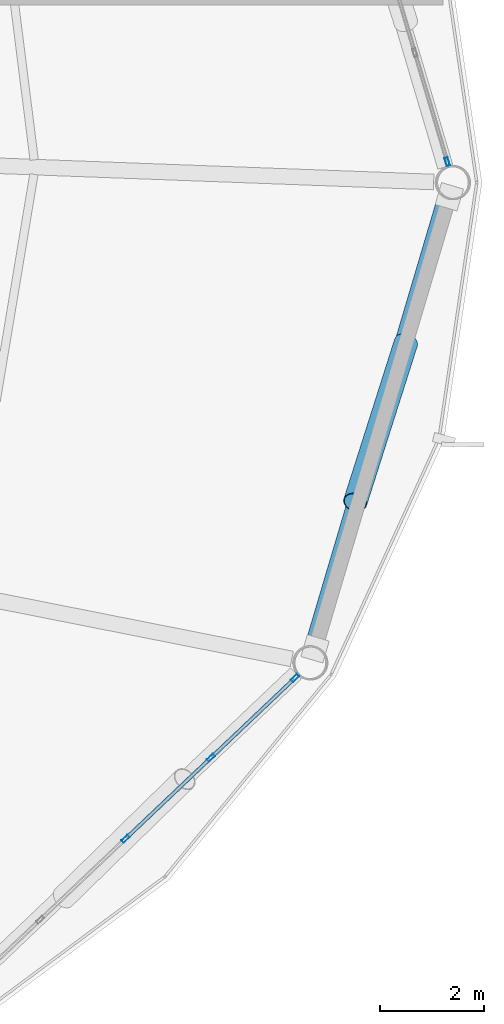
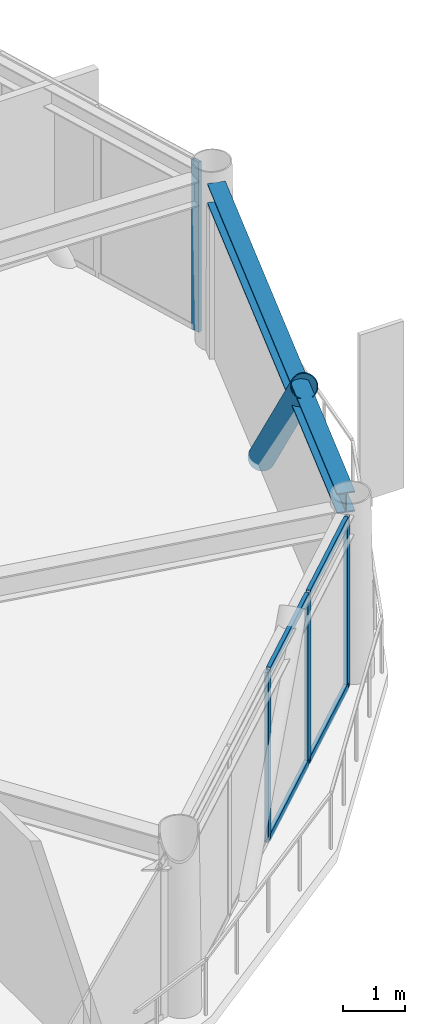
# One storey, part 15 of 28: 9 members, 1 beam, 2 elements without a shape of their own.
"""IFC4 building model written with IfcOpenShell, lengths in metres."""

from ifc_helpers import new_model, si_unit, direction, frame, origin, origin_2d, place, context, subcontext, project, spatial, hollow_rectangle, hollow_circle, i_section, extrude, material, layer, layer_set, material_profile, profile_set, type_object, element, aggregate, save


model = new_model("IFC4")

# Units and contexts
model_context = context("Model", 3, precision=1e-05, world=origin(), true_north=direction((0.0, 1.0)))
body_context = subcontext(model_context, "Body", "Model", "MODEL_VIEW")
ifc_project = project(units=[si_unit("LENGTHUNIT", "METRE"), si_unit("AREAUNIT", "SQUARE_METRE"), si_unit("VOLUMEUNIT", "CUBIC_METRE"), si_unit("PLANEANGLEUNIT", "RADIAN"), si_unit("MASSUNIT", "GRAM", prefix="KILO")], contexts=[model_context])

# Site, building, storey
site_placement = place(None, origin())
site = spatial("IfcSite", under=ifc_project, at=site_placement, CompositionType="ELEMENT")
building_placement = place(site_placement, origin())
building = spatial("IfcBuilding", under=site, at=building_placement, Name="Varnakorn Sky Granary", CompositionType="ELEMENT")
storey_placement = place(building_placement, frame((0.0, 0.0, 186.0)))
storey = spatial("IfcBuildingStorey", under=building, at=storey_placement, Name="L46", CompositionType="ELEMENT", Elevation=186.0)

# Beam
ifc_material_1 = material(Name="Steel S355JR", Category="steel")
ifc_material_profile_1 = material_profile(ifc_material_1, i_section(OverallWidth=0.300048828125, OverallDepth=0.39990234375, WebThickness=0.013427734375, FlangeThickness=0.02392578125, at=origin_2d()), Name="HE 400 B")
ifc_profile_set_1 = profile_set([ifc_material_profile_1], Name="Steel S355JR")
beam_type = type_object("IfcBeamType", Name="BM-SPD-Z4", PredefinedType="SPANDREL", material=ifc_profile_set_1)
beam_placement = place(storey_placement, frame((21.778564453125, -8.93798828125, 3.159912109375), z_axis=(0.284290421761, 0.958738210407, 0.0), x_axis=(-0.958738210407, 0.284290421761, 0.0)))
element("IfcBeam", 1, at=beam_placement, inside=storey, type_object=beam_type, Name="Perimeter Spandrel Ring Beam RB12 L46", PredefinedType="SPANDREL", context=body_context, shape_type="SweptSolid", body=[
    extrude(i_section(OverallWidth=0.300048828125, OverallDepth=0.39990234375, WebThickness=0.013427734375, FlangeThickness=0.02392578125, at=origin_2d()), origin(), (0.0, 0.0, 1.0), 9.007568359375),
])

# Curtain wall, member
ifc_material_2 = material(Name="Anodised Bronze Aluminium Alloy 6063-T6", Category="aluminium")
ifc_layer = layer(ifc_material_2, 0.169921875, Name="Anodised Bronze Aluminium Alloy 6063-T6")
ifc_layer_set = layer_set([ifc_layer], Name="Anodised Bronze Aluminium Alloy 6063-T6")
curtain_wall_type = type_object("IfcCurtainWallType", Name="CW-LAB-1", PredefinedType="USERDEFINED", material=ifc_layer_set)
curtain_wall_1_placement = place(storey_placement, origin())
curtain_wall_1 = element("IfcCurtainWall", 2, at=curtain_wall_1_placement, inside=storey, type_object=curtain_wall_type, Name="Unitised Curtain Wall CW5 CW-L46-B01", ObjectType="CURTAIN WALL", PredefinedType="USERDEFINED")
ifc_material_profile_2 = material_profile(ifc_material_2, hollow_rectangle(XDim=0.06494140625, YDim=0.159912109375, WallThickness=0.00341796875, at=origin_2d()), Name="ALU MULL 65x160")
ifc_profile_set_2 = profile_set([ifc_material_profile_2], Name="Anodised Bronze Aluminium Alloy 6063-T6")
member_type_1 = type_object("IfcMemberType", Name="CW-LAB-1-MULL", PredefinedType="MULLION", material=ifc_profile_set_2)
member_1_placement = place(storey_placement, frame((24.376708984375, 0.405029296875, 0.0), z_axis=(0.0, 0.0, 1.0), x_axis=(0.958613672651, 0.28471007465, 0.0)))
member_1 = element("IfcMember", 3, at=member_1_placement, type_object=member_type_1, Name="CW5 mullion 5", PredefinedType="MULLION", context=body_context, shape_type="SweptSolid", body=[
    extrude(hollow_rectangle(XDim=0.06494140625, YDim=0.159912109375, WallThickness=0.00341796875, at=origin_2d()), origin(), (0.0, 0.0, 1.0), 3.360107421875),
])
aggregate(curtain_wall_1, [member_1])

# Curtain wall, members
curtain_wall_2_placement = place(storey_placement, origin())
curtain_wall_2 = element("IfcCurtainWall", 4, at=curtain_wall_2_placement, inside=storey, type_object=curtain_wall_type, Name="Unitised Curtain Wall CW5 CW-L46-B11", ObjectType="CURTAIN WALL", PredefinedType="USERDEFINED")
member_2_placement = place(storey_placement, frame((21.44140625, -9.54736328125, 0.0), z_axis=(0.0, 0.0, 1.0), x_axis=(0.688291544345, -0.725434180325, 0.0)))
member_2 = element("IfcMember", 5, at=member_2_placement, type_object=member_type_1, Name="CW5 mullion 1", PredefinedType="MULLION", context=body_context, shape_type="SweptSolid", body=[
    extrude(hollow_rectangle(XDim=0.06494140625, YDim=0.159912109375, WallThickness=0.00341796875, at=origin_2d()), origin(), (0.0, 0.0, 1.0), 3.360107421875),
])
member_3_placement = place(storey_placement, frame((19.821044921875, -11.084716796875, 0.0), z_axis=(0.0, 0.0, 1.0), x_axis=(0.688291544345, -0.725434180325, 0.0)))
member_3 = element("IfcMember", 6, at=member_3_placement, type_object=member_type_1, Name="CW5 mullion 2", PredefinedType="MULLION", context=body_context, shape_type="SweptSolid", body=[
    extrude(hollow_rectangle(XDim=0.06494140625, YDim=0.159912109375, WallThickness=0.00341796875, at=origin_2d()), origin(), (0.0, 0.0, 1.0), 3.360107421875),
])
member_4_placement = place(storey_placement, frame((18.177001953125, -12.64453125, 0.0), z_axis=(0.0, 0.0, 1.0), x_axis=(0.688291544345, -0.725434180325, 0.0)))
member_4 = element("IfcMember", 7, at=member_4_placement, type_object=member_type_1, Name="CW5 mullion 3", PredefinedType="MULLION", context=body_context, shape_type="SweptSolid", body=[
    extrude(hollow_rectangle(XDim=0.06494140625, YDim=0.159912109375, WallThickness=0.00341796875, at=origin_2d()), origin(), (0.0, 0.0, 1.0), 3.360107421875),
])
ifc_material_profile_3 = material_profile(ifc_material_2, hollow_rectangle(XDim=0.070068359375, YDim=0.139892578125, WallThickness=0.00341796875, at=origin_2d()), Name="ALU TRAN 70x140")
ifc_profile_set_3 = profile_set([ifc_material_profile_3], Name="Anodised Bronze Aluminium Alloy 6063-T6")
member_type_2 = type_object("IfcMemberType", Name="CW-LAB-1-TRAN", PredefinedType="USERDEFINED", material=ifc_profile_set_3)
member_5_placement = place(storey_placement, frame((21.41796875, -9.569580078125, 0.034912109375), z_axis=(-0.725434876851, -0.688290810231, 0.0), x_axis=(0.688290810231, -0.725434876851, 0.0)))
member_5 = element("IfcMember", 8, at=member_5_placement, type_object=member_type_2, Name="CW5 transom 1.1", ObjectType="TRANSOM", PredefinedType="USERDEFINED", context=body_context, shape_type="SweptSolid", body=[
    extrude(hollow_rectangle(XDim=0.070068359375, YDim=0.139892578125, WallThickness=0.00341796875, at=origin_2d()), origin(), (0.0, 0.0, 1.0), 2.1689453125),
])
member_6_placement = place(storey_placement, frame((21.41796875, -9.569580078125, 3.324951171875), z_axis=(-0.725434876851, -0.688290810231, 0.0), x_axis=(0.688290810231, -0.725434876851, 0.0)))
member_6 = element("IfcMember", 9, at=member_6_placement, type_object=member_type_2, Name="CW5 transom 1.2", ObjectType="TRANSOM", PredefinedType="USERDEFINED", context=body_context, shape_type="SweptSolid", body=[
    extrude(hollow_rectangle(XDim=0.070068359375, YDim=0.139892578125, WallThickness=0.00341796875, at=origin_2d()), origin(), (0.0, 0.0, 1.0), 2.1689453125),
])
member_7_placement = place(storey_placement, frame((19.79736328125, -11.107177734375, 0.034912109375), z_axis=(-0.725439559585, -0.688285874757, 0.0), x_axis=(0.688285874757, -0.725439559585, 0.0)))
member_7 = element("IfcMember", 10, at=member_7_placement, type_object=member_type_2, Name="CW5 transom 2.1", ObjectType="TRANSOM", PredefinedType="USERDEFINED", context=body_context, shape_type="SweptSolid", body=[
    extrude(hollow_rectangle(XDim=0.070068359375, YDim=0.139892578125, WallThickness=0.00341796875, at=origin_2d()), origin(), (0.0, 0.0, 1.0), 2.201416015625),
])
member_8_placement = place(storey_placement, frame((19.79736328125, -11.107177734375, 3.324951171875), z_axis=(-0.725439559585, -0.688285874757, 0.0), x_axis=(0.688285874757, -0.725439559585, 0.0)))
member_8 = element("IfcMember", 11, at=member_8_placement, type_object=member_type_2, Name="CW5 transom 2.2", ObjectType="TRANSOM", PredefinedType="USERDEFINED", context=body_context, shape_type="SweptSolid", body=[
    extrude(hollow_rectangle(XDim=0.070068359375, YDim=0.139892578125, WallThickness=0.00341796875, at=origin_2d()), origin(), (0.0, 0.0, 1.0), 2.201416015625),
])
aggregate(curtain_wall_2, [member_2, member_3, member_4, member_5, member_6, member_7, member_8])

# Member
ifc_material_3 = material(Name="Steel S460M", Category="steel")
ifc_material_profile_4 = material_profile(ifc_material_3, hollow_circle(Radius=0.228515625, WallThickness=0.01611328125, at=origin_2d()), Name="CHS 457x16")
ifc_profile_set_4 = profile_set([ifc_material_profile_4], Name="Steel S460M")
member_type_3 = type_object("IfcMemberType", Name="MB-DIAG-T3", PredefinedType="BRACE", material=ifc_profile_set_4)
member_9_placement = place(storey_placement, frame((23.58056640625, -3.08544921875, -0.1298828125), z_axis=(-0.20174698493, -0.63404037465, 0.74651922774), x_axis=(0.952922798565, -0.303213027384, 0.0)))
element("IfcMember", 12, at=member_9_placement, inside=storey, type_object=member_type_3, Name="Perimeter CHS Diagrid Brace DG12 L46", PredefinedType="BRACE", context=body_context, shape_type="SweptSolid", body=[
    extrude(hollow_circle(Radius=0.228515625, WallThickness=0.01611328125, at=origin_2d()), origin(), (0.0, 0.0, 1.0), 4.84912109375),
])

save(model, "model.ifc")
